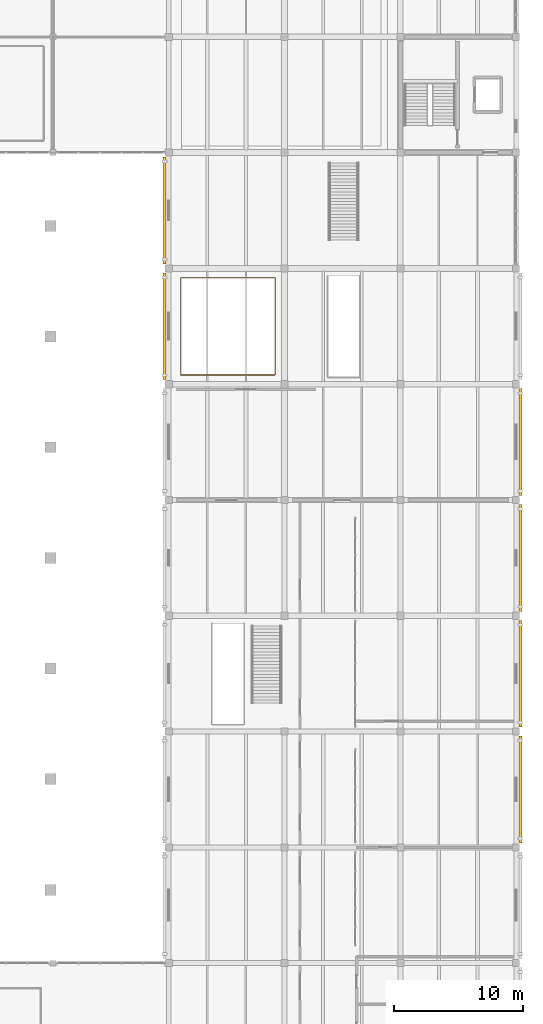
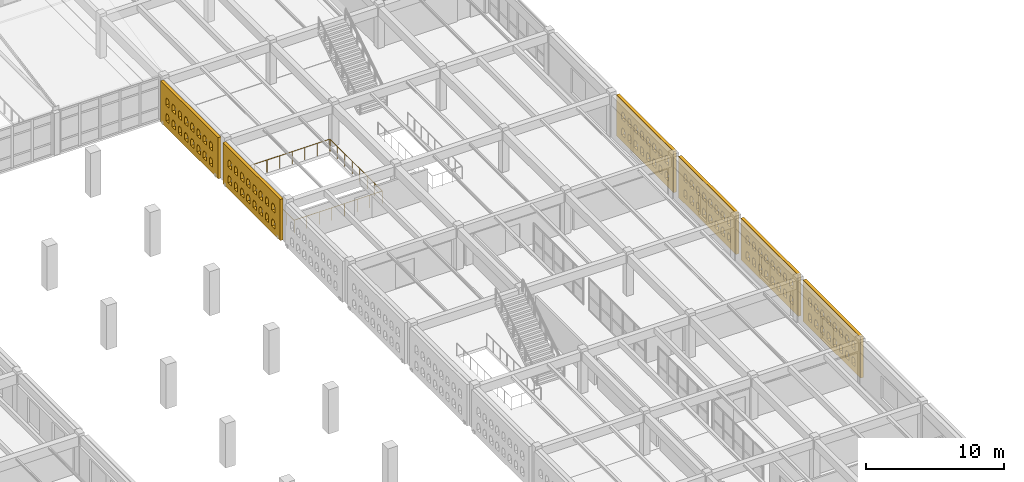
# One storey, part 154 of 156: 6 coverings, 1 railing.
"""IFC4 building model written with IfcOpenShell, lengths in metres."""

from ifc_helpers import new_model, si_unit, direction, frame, origin, origin_2d, place, context, subcontext, project, spatial, polyline, circle, outline, extrude, material, layer, layer_set, type_object, element, save


model = new_model("IFC4")

# Units and contexts
model_context = context("Model", 3, precision=1e-05, world=origin(), true_north=direction((0.0, 1.0)))
body_context = subcontext(model_context, "Body", "Model", "MODEL_VIEW")
ifc_project = project(units=[si_unit("LENGTHUNIT", "METRE"), si_unit("AREAUNIT", "SQUARE_METRE"), si_unit("VOLUMEUNIT", "CUBIC_METRE"), si_unit("PLANEANGLEUNIT", "RADIAN"), si_unit("MASSUNIT", "GRAM", prefix="KILO")], contexts=[model_context])

# Site, building, storey
site_placement = place(None, origin())
site = spatial("IfcSite", under=ifc_project, at=site_placement, CompositionType="ELEMENT")
building_placement = place(site_placement, origin())
building = spatial("IfcBuilding", under=site, at=building_placement, Name="Ornek Quay Market", CompositionType="ELEMENT")
storey_placement = place(building_placement, frame((0.0, 0.0, 4.5)))
storey = spatial("IfcBuildingStorey", under=building, at=storey_placement, Name="L01", CompositionType="ELEMENT", Elevation=4.5)

# Coverings
ifc_material_1 = material(Name="Frost-resistant facing clay brick M200 F100", Category="masonry")
ifc_layer = layer(ifc_material_1, 0.25, Name="Frost-resistant facing clay brick M200 F100", Category="masonry")
ifc_layer_set = layer_set([ifc_layer], Name="Frost-resistant facing clay brick M200 F100")
covering_type = type_object("IfcCoveringType", Name="COV-BRICK-LATTICE-250", PredefinedType="CLADDING", material=ifc_layer_set)
covering_1_placement = place(storey_placement, frame((152.669921875, 74.35009765625, 0.0), z_axis=(0.0, 0.0, 1.0), x_axis=(0.0, 1.0, 0.0)))
element("IfcCovering", 1, at=covering_1_placement, inside=storey, type_object=covering_type, Name="Arched brick lattice screen BLS-075", PredefinedType="CLADDING", context=body_context, shape_type="SweptSolid", body=[
    extrude(outline(polyline([(0.0, 0.0), (8.2998046875, 0.0), (8.2998046875, 3.6298828125), (0.0, 3.6298828125), (0.0, 0.0)]), holes=[polyline([(0.760009765625, 0.550048828125), (1.239990234375, 0.550048828125), (1.239990234375, 1.050048828125), (1.1201171875, 1.2578125), (0.8798828125, 1.2578125), (0.760009765625, 1.050048828125), (0.760009765625, 0.550048828125)]), polyline([(0.760009765625, 1.949951171875), (1.239990234375, 1.949951171875), (1.239990234375, 2.449951171875), (1.1201171875, 2.65771484375), (0.8798828125, 2.65771484375), (0.760009765625, 2.449951171875), (0.760009765625, 1.949951171875)]), polyline([(1.659912109375, 0.550048828125), (2.139892578125, 0.550048828125), (2.139892578125, 1.050048828125), (2.02001953125, 1.2578125), (1.780029296875, 1.2578125), (1.659912109375, 1.050048828125), (1.659912109375, 0.550048828125)]), polyline([(1.659912109375, 1.949951171875), (2.139892578125, 1.949951171875), (2.139892578125, 2.449951171875), (2.02001953125, 2.65771484375), (1.780029296875, 2.65771484375), (1.659912109375, 2.449951171875), (1.659912109375, 1.949951171875)]), polyline([(2.56005859375, 0.550048828125), (3.0400390625, 0.550048828125), (3.0400390625, 1.050048828125), (2.919921875, 1.2578125), (2.679931640625, 1.2578125), (2.56005859375, 1.050048828125), (2.56005859375, 0.550048828125)]), polyline([(2.56005859375, 1.949951171875), (3.0400390625, 1.949951171875), (3.0400390625, 2.449951171875), (2.919921875, 2.65771484375), (2.679931640625, 2.65771484375), (2.56005859375, 2.449951171875), (2.56005859375, 1.949951171875)]), polyline([(3.4599609375, 0.550048828125), (3.93994140625, 0.550048828125), (3.93994140625, 1.050048828125), (3.820068359375, 1.2578125), (3.580078125, 1.2578125), (3.4599609375, 1.050048828125), (3.4599609375, 0.550048828125)]), polyline([(3.4599609375, 1.949951171875), (3.93994140625, 1.949951171875), (3.93994140625, 2.449951171875), (3.820068359375, 2.65771484375), (3.580078125, 2.65771484375), (3.4599609375, 2.449951171875), (3.4599609375, 1.949951171875)]), polyline([(4.360107421875, 0.550048828125), (4.840087890625, 0.550048828125), (4.840087890625, 1.050048828125), (4.719970703125, 1.2578125), (4.47998046875, 1.2578125), (4.360107421875, 1.050048828125), (4.360107421875, 0.550048828125)]), polyline([(4.360107421875, 1.949951171875), (4.840087890625, 1.949951171875), (4.840087890625, 2.449951171875), (4.719970703125, 2.65771484375), (4.47998046875, 2.65771484375), (4.360107421875, 2.449951171875), (4.360107421875, 1.949951171875)]), polyline([(5.260009765625, 0.550048828125), (5.739990234375, 0.550048828125), (5.739990234375, 1.050048828125), (5.6201171875, 1.2578125), (5.3798828125, 1.2578125), (5.260009765625, 1.050048828125), (5.260009765625, 0.550048828125)]), polyline([(5.260009765625, 1.949951171875), (5.739990234375, 1.949951171875), (5.739990234375, 2.449951171875), (5.6201171875, 2.65771484375), (5.3798828125, 2.65771484375), (5.260009765625, 2.449951171875), (5.260009765625, 1.949951171875)]), polyline([(6.159912109375, 0.550048828125), (6.639892578125, 0.550048828125), (6.639892578125, 1.050048828125), (6.52001953125, 1.2578125), (6.280029296875, 1.2578125), (6.159912109375, 1.050048828125), (6.159912109375, 0.550048828125)]), polyline([(6.159912109375, 1.949951171875), (6.639892578125, 1.949951171875), (6.639892578125, 2.449951171875), (6.52001953125, 2.65771484375), (6.280029296875, 2.65771484375), (6.159912109375, 2.449951171875), (6.159912109375, 1.949951171875)]), polyline([(7.06005859375, 0.550048828125), (7.5400390625, 0.550048828125), (7.5400390625, 1.050048828125), (7.419921875, 1.2578125), (7.179931640625, 1.2578125), (7.06005859375, 1.050048828125), (7.06005859375, 0.550048828125)]), polyline([(7.06005859375, 1.949951171875), (7.5400390625, 1.949951171875), (7.5400390625, 2.449951171875), (7.419921875, 2.65771484375), (7.179931640625, 2.65771484375), (7.06005859375, 2.449951171875), (7.06005859375, 1.949951171875)])]), frame((0.0, 0.125, 0.0), z_axis=(0.0, -1.0, 0.0), x_axis=(1.0, 0.0, 0.0)), (0.0, 0.0, 1.0), 0.25),
])
covering_2_placement = place(storey_placement, frame((152.669921875, 83.35009765625, 0.0), z_axis=(0.0, 0.0, 1.0), x_axis=(0.0, 1.0, 0.0)))
element("IfcCovering", 2, at=covering_2_placement, inside=storey, type_object=covering_type, Name="Arched brick lattice screen BLS-076", PredefinedType="CLADDING", context=body_context, shape_type="SweptSolid", body=[
    extrude(outline(polyline([(0.0, 0.0), (8.2998046875, 0.0), (8.2998046875, 3.6298828125), (0.0, 3.6298828125), (0.0, 0.0)]), holes=[polyline([(0.760009765625, 0.550048828125), (1.239990234375, 0.550048828125), (1.239990234375, 1.050048828125), (1.1201171875, 1.2578125), (0.8798828125, 1.2578125), (0.760009765625, 1.050048828125), (0.760009765625, 0.550048828125)]), polyline([(0.760009765625, 1.949951171875), (1.239990234375, 1.949951171875), (1.239990234375, 2.449951171875), (1.1201171875, 2.65771484375), (0.8798828125, 2.65771484375), (0.760009765625, 2.449951171875), (0.760009765625, 1.949951171875)]), polyline([(1.659912109375, 0.550048828125), (2.139892578125, 0.550048828125), (2.139892578125, 1.050048828125), (2.02001953125, 1.2578125), (1.780029296875, 1.2578125), (1.659912109375, 1.050048828125), (1.659912109375, 0.550048828125)]), polyline([(1.659912109375, 1.949951171875), (2.139892578125, 1.949951171875), (2.139892578125, 2.449951171875), (2.02001953125, 2.65771484375), (1.780029296875, 2.65771484375), (1.659912109375, 2.449951171875), (1.659912109375, 1.949951171875)]), polyline([(2.56005859375, 0.550048828125), (3.0400390625, 0.550048828125), (3.0400390625, 1.050048828125), (2.919921875, 1.2578125), (2.679931640625, 1.2578125), (2.56005859375, 1.050048828125), (2.56005859375, 0.550048828125)]), polyline([(2.56005859375, 1.949951171875), (3.0400390625, 1.949951171875), (3.0400390625, 2.449951171875), (2.919921875, 2.65771484375), (2.679931640625, 2.65771484375), (2.56005859375, 2.449951171875), (2.56005859375, 1.949951171875)]), polyline([(3.4599609375, 0.550048828125), (3.93994140625, 0.550048828125), (3.93994140625, 1.050048828125), (3.820068359375, 1.2578125), (3.580078125, 1.2578125), (3.4599609375, 1.050048828125), (3.4599609375, 0.550048828125)]), polyline([(3.4599609375, 1.949951171875), (3.93994140625, 1.949951171875), (3.93994140625, 2.449951171875), (3.820068359375, 2.65771484375), (3.580078125, 2.65771484375), (3.4599609375, 2.449951171875), (3.4599609375, 1.949951171875)]), polyline([(4.360107421875, 0.550048828125), (4.840087890625, 0.550048828125), (4.840087890625, 1.050048828125), (4.719970703125, 1.2578125), (4.47998046875, 1.2578125), (4.360107421875, 1.050048828125), (4.360107421875, 0.550048828125)]), polyline([(4.360107421875, 1.949951171875), (4.840087890625, 1.949951171875), (4.840087890625, 2.449951171875), (4.719970703125, 2.65771484375), (4.47998046875, 2.65771484375), (4.360107421875, 2.449951171875), (4.360107421875, 1.949951171875)]), polyline([(5.260009765625, 0.550048828125), (5.739990234375, 0.550048828125), (5.739990234375, 1.050048828125), (5.6201171875, 1.2578125), (5.3798828125, 1.2578125), (5.260009765625, 1.050048828125), (5.260009765625, 0.550048828125)]), polyline([(5.260009765625, 1.949951171875), (5.739990234375, 1.949951171875), (5.739990234375, 2.449951171875), (5.6201171875, 2.65771484375), (5.3798828125, 2.65771484375), (5.260009765625, 2.449951171875), (5.260009765625, 1.949951171875)]), polyline([(6.159912109375, 0.550048828125), (6.639892578125, 0.550048828125), (6.639892578125, 1.050048828125), (6.52001953125, 1.2578125), (6.280029296875, 1.2578125), (6.159912109375, 1.050048828125), (6.159912109375, 0.550048828125)]), polyline([(6.159912109375, 1.949951171875), (6.639892578125, 1.949951171875), (6.639892578125, 2.449951171875), (6.52001953125, 2.65771484375), (6.280029296875, 2.65771484375), (6.159912109375, 2.449951171875), (6.159912109375, 1.949951171875)]), polyline([(7.06005859375, 0.550048828125), (7.5400390625, 0.550048828125), (7.5400390625, 1.050048828125), (7.419921875, 1.2578125), (7.179931640625, 1.2578125), (7.06005859375, 1.050048828125), (7.06005859375, 0.550048828125)]), polyline([(7.06005859375, 1.949951171875), (7.5400390625, 1.949951171875), (7.5400390625, 2.449951171875), (7.419921875, 2.65771484375), (7.179931640625, 2.65771484375), (7.06005859375, 2.449951171875), (7.06005859375, 1.949951171875)])]), frame((0.0, 0.125, 0.0), z_axis=(0.0, -1.0, 0.0), x_axis=(1.0, 0.0, 0.0)), (0.0, 0.0, 1.0), 0.25),
])
covering_3_placement = place(storey_placement, frame((180.330078125, 65.35009765625, 0.0), z_axis=(0.0, 0.0, 1.0), x_axis=(0.0, 1.0, 0.0)))
element("IfcCovering", 3, at=covering_3_placement, inside=storey, type_object=covering_type, Name="Arched brick lattice screen BLS-077", PredefinedType="CLADDING", context=body_context, shape_type="SweptSolid", body=[
    extrude(outline(polyline([(0.0, 0.0), (8.2998046875, 0.0), (8.2998046875, 3.6298828125), (0.0, 3.6298828125), (0.0, 0.0)]), holes=[polyline([(0.760009765625, 0.550048828125), (1.239990234375, 0.550048828125), (1.239990234375, 1.050048828125), (1.1201171875, 1.2578125), (0.8798828125, 1.2578125), (0.760009765625, 1.050048828125), (0.760009765625, 0.550048828125)]), polyline([(0.760009765625, 1.949951171875), (1.239990234375, 1.949951171875), (1.239990234375, 2.449951171875), (1.1201171875, 2.65771484375), (0.8798828125, 2.65771484375), (0.760009765625, 2.449951171875), (0.760009765625, 1.949951171875)]), polyline([(1.659912109375, 0.550048828125), (2.139892578125, 0.550048828125), (2.139892578125, 1.050048828125), (2.02001953125, 1.2578125), (1.780029296875, 1.2578125), (1.659912109375, 1.050048828125), (1.659912109375, 0.550048828125)]), polyline([(1.659912109375, 1.949951171875), (2.139892578125, 1.949951171875), (2.139892578125, 2.449951171875), (2.02001953125, 2.65771484375), (1.780029296875, 2.65771484375), (1.659912109375, 2.449951171875), (1.659912109375, 1.949951171875)]), polyline([(2.56005859375, 0.550048828125), (3.0400390625, 0.550048828125), (3.0400390625, 1.050048828125), (2.919921875, 1.2578125), (2.679931640625, 1.2578125), (2.56005859375, 1.050048828125), (2.56005859375, 0.550048828125)]), polyline([(2.56005859375, 1.949951171875), (3.0400390625, 1.949951171875), (3.0400390625, 2.449951171875), (2.919921875, 2.65771484375), (2.679931640625, 2.65771484375), (2.56005859375, 2.449951171875), (2.56005859375, 1.949951171875)]), polyline([(3.4599609375, 0.550048828125), (3.93994140625, 0.550048828125), (3.93994140625, 1.050048828125), (3.820068359375, 1.2578125), (3.580078125, 1.2578125), (3.4599609375, 1.050048828125), (3.4599609375, 0.550048828125)]), polyline([(3.4599609375, 1.949951171875), (3.93994140625, 1.949951171875), (3.93994140625, 2.449951171875), (3.820068359375, 2.65771484375), (3.580078125, 2.65771484375), (3.4599609375, 2.449951171875), (3.4599609375, 1.949951171875)]), polyline([(4.360107421875, 0.550048828125), (4.840087890625, 0.550048828125), (4.840087890625, 1.050048828125), (4.719970703125, 1.2578125), (4.47998046875, 1.2578125), (4.360107421875, 1.050048828125), (4.360107421875, 0.550048828125)]), polyline([(4.360107421875, 1.949951171875), (4.840087890625, 1.949951171875), (4.840087890625, 2.449951171875), (4.719970703125, 2.65771484375), (4.47998046875, 2.65771484375), (4.360107421875, 2.449951171875), (4.360107421875, 1.949951171875)]), polyline([(5.260009765625, 0.550048828125), (5.739990234375, 0.550048828125), (5.739990234375, 1.050048828125), (5.6201171875, 1.2578125), (5.3798828125, 1.2578125), (5.260009765625, 1.050048828125), (5.260009765625, 0.550048828125)]), polyline([(5.260009765625, 1.949951171875), (5.739990234375, 1.949951171875), (5.739990234375, 2.449951171875), (5.6201171875, 2.65771484375), (5.3798828125, 2.65771484375), (5.260009765625, 2.449951171875), (5.260009765625, 1.949951171875)]), polyline([(6.159912109375, 0.550048828125), (6.639892578125, 0.550048828125), (6.639892578125, 1.050048828125), (6.52001953125, 1.2578125), (6.280029296875, 1.2578125), (6.159912109375, 1.050048828125), (6.159912109375, 0.550048828125)]), polyline([(6.159912109375, 1.949951171875), (6.639892578125, 1.949951171875), (6.639892578125, 2.449951171875), (6.52001953125, 2.65771484375), (6.280029296875, 2.65771484375), (6.159912109375, 2.449951171875), (6.159912109375, 1.949951171875)]), polyline([(7.06005859375, 0.550048828125), (7.5400390625, 0.550048828125), (7.5400390625, 1.050048828125), (7.419921875, 1.2578125), (7.179931640625, 1.2578125), (7.06005859375, 1.050048828125), (7.06005859375, 0.550048828125)]), polyline([(7.06005859375, 1.949951171875), (7.5400390625, 1.949951171875), (7.5400390625, 2.449951171875), (7.419921875, 2.65771484375), (7.179931640625, 2.65771484375), (7.06005859375, 2.449951171875), (7.06005859375, 1.949951171875)])]), frame((0.0, 0.125, 0.0), z_axis=(0.0, -1.0, 0.0), x_axis=(1.0, 0.0, 0.0)), (0.0, 0.0, 1.0), 0.25),
])
covering_4_placement = place(storey_placement, frame((180.330078125, 38.35009765625, 0.0), z_axis=(0.0, 0.0, 1.0), x_axis=(0.0, 1.0, 0.0)))
element("IfcCovering", 4, at=covering_4_placement, inside=storey, type_object=covering_type, Name="Arched brick lattice screen BLS-103", PredefinedType="CLADDING", context=body_context, shape_type="SweptSolid", body=[
    extrude(outline(polyline([(0.0, 0.0), (8.2998046875, 0.0), (8.2998046875, 3.64990234375), (0.0, 3.64990234375), (0.0, 0.0)]), holes=[polyline([(0.760009765625, 0.550048828125), (1.239990234375, 0.550048828125), (1.239990234375, 1.050048828125), (1.1201171875, 1.2578125), (0.8798828125, 1.2578125), (0.760009765625, 1.050048828125), (0.760009765625, 0.550048828125)]), polyline([(0.760009765625, 1.949951171875), (1.239990234375, 1.949951171875), (1.239990234375, 2.449951171875), (1.1201171875, 2.65771484375), (0.8798828125, 2.65771484375), (0.760009765625, 2.449951171875), (0.760009765625, 1.949951171875)]), polyline([(1.659912109375, 0.550048828125), (2.139892578125, 0.550048828125), (2.139892578125, 1.050048828125), (2.02001953125, 1.2578125), (1.780029296875, 1.2578125), (1.659912109375, 1.050048828125), (1.659912109375, 0.550048828125)]), polyline([(1.659912109375, 1.949951171875), (2.139892578125, 1.949951171875), (2.139892578125, 2.449951171875), (2.02001953125, 2.65771484375), (1.780029296875, 2.65771484375), (1.659912109375, 2.449951171875), (1.659912109375, 1.949951171875)]), polyline([(2.56005859375, 0.550048828125), (3.0400390625, 0.550048828125), (3.0400390625, 1.050048828125), (2.919921875, 1.2578125), (2.679931640625, 1.2578125), (2.56005859375, 1.050048828125), (2.56005859375, 0.550048828125)]), polyline([(2.56005859375, 1.949951171875), (3.0400390625, 1.949951171875), (3.0400390625, 2.449951171875), (2.919921875, 2.65771484375), (2.679931640625, 2.65771484375), (2.56005859375, 2.449951171875), (2.56005859375, 1.949951171875)]), polyline([(3.4599609375, 0.550048828125), (3.93994140625, 0.550048828125), (3.93994140625, 1.050048828125), (3.820068359375, 1.2578125), (3.580078125, 1.2578125), (3.4599609375, 1.050048828125), (3.4599609375, 0.550048828125)]), polyline([(3.4599609375, 1.949951171875), (3.93994140625, 1.949951171875), (3.93994140625, 2.449951171875), (3.820068359375, 2.65771484375), (3.580078125, 2.65771484375), (3.4599609375, 2.449951171875), (3.4599609375, 1.949951171875)]), polyline([(4.360107421875, 0.550048828125), (4.840087890625, 0.550048828125), (4.840087890625, 1.050048828125), (4.719970703125, 1.2578125), (4.47998046875, 1.2578125), (4.360107421875, 1.050048828125), (4.360107421875, 0.550048828125)]), polyline([(4.360107421875, 1.949951171875), (4.840087890625, 1.949951171875), (4.840087890625, 2.449951171875), (4.719970703125, 2.65771484375), (4.47998046875, 2.65771484375), (4.360107421875, 2.449951171875), (4.360107421875, 1.949951171875)]), polyline([(5.260009765625, 0.550048828125), (5.739990234375, 0.550048828125), (5.739990234375, 1.050048828125), (5.6201171875, 1.2578125), (5.3798828125, 1.2578125), (5.260009765625, 1.050048828125), (5.260009765625, 0.550048828125)]), polyline([(5.260009765625, 1.949951171875), (5.739990234375, 1.949951171875), (5.739990234375, 2.449951171875), (5.6201171875, 2.65771484375), (5.3798828125, 2.65771484375), (5.260009765625, 2.449951171875), (5.260009765625, 1.949951171875)]), polyline([(6.159912109375, 0.550048828125), (6.639892578125, 0.550048828125), (6.639892578125, 1.050048828125), (6.52001953125, 1.2578125), (6.280029296875, 1.2578125), (6.159912109375, 1.050048828125), (6.159912109375, 0.550048828125)]), polyline([(6.159912109375, 1.949951171875), (6.639892578125, 1.949951171875), (6.639892578125, 2.449951171875), (6.52001953125, 2.65771484375), (6.280029296875, 2.65771484375), (6.159912109375, 2.449951171875), (6.159912109375, 1.949951171875)]), polyline([(7.06005859375, 0.550048828125), (7.5400390625, 0.550048828125), (7.5400390625, 1.050048828125), (7.419921875, 1.2578125), (7.179931640625, 1.2578125), (7.06005859375, 1.050048828125), (7.06005859375, 0.550048828125)]), polyline([(7.06005859375, 1.949951171875), (7.5400390625, 1.949951171875), (7.5400390625, 2.449951171875), (7.419921875, 2.65771484375), (7.179931640625, 2.65771484375), (7.06005859375, 2.449951171875), (7.06005859375, 1.949951171875)])]), frame((0.0, 0.125, 0.0), z_axis=(0.0, -1.0, 0.0), x_axis=(1.0, 0.0, 0.0)), (0.0, 0.0, 1.0), 0.25),
])
covering_5_placement = place(storey_placement, frame((180.330078125, 47.35009765625, 0.0), z_axis=(0.0, 0.0, 1.0), x_axis=(0.0, 1.0, 0.0)))
element("IfcCovering", 5, at=covering_5_placement, inside=storey, type_object=covering_type, Name="Arched brick lattice screen BLS-104", PredefinedType="CLADDING", context=body_context, shape_type="SweptSolid", body=[
    extrude(outline(polyline([(0.0, 0.0), (8.2998046875, 0.0), (8.2998046875, 3.64990234375), (0.0, 3.64990234375), (0.0, 0.0)]), holes=[polyline([(0.760009765625, 0.550048828125), (1.239990234375, 0.550048828125), (1.239990234375, 1.050048828125), (1.1201171875, 1.2578125), (0.8798828125, 1.2578125), (0.760009765625, 1.050048828125), (0.760009765625, 0.550048828125)]), polyline([(0.760009765625, 1.949951171875), (1.239990234375, 1.949951171875), (1.239990234375, 2.449951171875), (1.1201171875, 2.65771484375), (0.8798828125, 2.65771484375), (0.760009765625, 2.449951171875), (0.760009765625, 1.949951171875)]), polyline([(1.659912109375, 0.550048828125), (2.139892578125, 0.550048828125), (2.139892578125, 1.050048828125), (2.02001953125, 1.2578125), (1.780029296875, 1.2578125), (1.659912109375, 1.050048828125), (1.659912109375, 0.550048828125)]), polyline([(1.659912109375, 1.949951171875), (2.139892578125, 1.949951171875), (2.139892578125, 2.449951171875), (2.02001953125, 2.65771484375), (1.780029296875, 2.65771484375), (1.659912109375, 2.449951171875), (1.659912109375, 1.949951171875)]), polyline([(2.56005859375, 0.550048828125), (3.0400390625, 0.550048828125), (3.0400390625, 1.050048828125), (2.919921875, 1.2578125), (2.679931640625, 1.2578125), (2.56005859375, 1.050048828125), (2.56005859375, 0.550048828125)]), polyline([(2.56005859375, 1.949951171875), (3.0400390625, 1.949951171875), (3.0400390625, 2.449951171875), (2.919921875, 2.65771484375), (2.679931640625, 2.65771484375), (2.56005859375, 2.449951171875), (2.56005859375, 1.949951171875)]), polyline([(3.4599609375, 0.550048828125), (3.93994140625, 0.550048828125), (3.93994140625, 1.050048828125), (3.820068359375, 1.2578125), (3.580078125, 1.2578125), (3.4599609375, 1.050048828125), (3.4599609375, 0.550048828125)]), polyline([(3.4599609375, 1.949951171875), (3.93994140625, 1.949951171875), (3.93994140625, 2.449951171875), (3.820068359375, 2.65771484375), (3.580078125, 2.65771484375), (3.4599609375, 2.449951171875), (3.4599609375, 1.949951171875)]), polyline([(4.360107421875, 0.550048828125), (4.840087890625, 0.550048828125), (4.840087890625, 1.050048828125), (4.719970703125, 1.2578125), (4.47998046875, 1.2578125), (4.360107421875, 1.050048828125), (4.360107421875, 0.550048828125)]), polyline([(4.360107421875, 1.949951171875), (4.840087890625, 1.949951171875), (4.840087890625, 2.449951171875), (4.719970703125, 2.65771484375), (4.47998046875, 2.65771484375), (4.360107421875, 2.449951171875), (4.360107421875, 1.949951171875)]), polyline([(5.260009765625, 0.550048828125), (5.739990234375, 0.550048828125), (5.739990234375, 1.050048828125), (5.6201171875, 1.2578125), (5.3798828125, 1.2578125), (5.260009765625, 1.050048828125), (5.260009765625, 0.550048828125)]), polyline([(5.260009765625, 1.949951171875), (5.739990234375, 1.949951171875), (5.739990234375, 2.449951171875), (5.6201171875, 2.65771484375), (5.3798828125, 2.65771484375), (5.260009765625, 2.449951171875), (5.260009765625, 1.949951171875)]), polyline([(6.159912109375, 0.550048828125), (6.639892578125, 0.550048828125), (6.639892578125, 1.050048828125), (6.52001953125, 1.2578125), (6.280029296875, 1.2578125), (6.159912109375, 1.050048828125), (6.159912109375, 0.550048828125)]), polyline([(6.159912109375, 1.949951171875), (6.639892578125, 1.949951171875), (6.639892578125, 2.449951171875), (6.52001953125, 2.65771484375), (6.280029296875, 2.65771484375), (6.159912109375, 2.449951171875), (6.159912109375, 1.949951171875)]), polyline([(7.06005859375, 0.550048828125), (7.5400390625, 0.550048828125), (7.5400390625, 1.050048828125), (7.419921875, 1.2578125), (7.179931640625, 1.2578125), (7.06005859375, 1.050048828125), (7.06005859375, 0.550048828125)]), polyline([(7.06005859375, 1.949951171875), (7.5400390625, 1.949951171875), (7.5400390625, 2.449951171875), (7.419921875, 2.65771484375), (7.179931640625, 2.65771484375), (7.06005859375, 2.449951171875), (7.06005859375, 1.949951171875)])]), frame((0.0, 0.125, 0.0), z_axis=(0.0, -1.0, 0.0), x_axis=(1.0, 0.0, 0.0)), (0.0, 0.0, 1.0), 0.25),
])
covering_6_placement = place(storey_placement, frame((180.330078125, 56.35009765625, 0.0), z_axis=(0.0, 0.0, 1.0), x_axis=(0.0, 1.0, 0.0)))
element("IfcCovering", 6, at=covering_6_placement, inside=storey, type_object=covering_type, Name="Arched brick lattice screen BLS-105", PredefinedType="CLADDING", context=body_context, shape_type="SweptSolid", body=[
    extrude(outline(polyline([(0.0, 0.0), (8.2998046875, 0.0), (8.2998046875, 3.64990234375), (0.0, 3.64990234375), (0.0, 0.0)]), holes=[polyline([(0.760009765625, 0.550048828125), (1.239990234375, 0.550048828125), (1.239990234375, 1.050048828125), (1.1201171875, 1.2578125), (0.8798828125, 1.2578125), (0.760009765625, 1.050048828125), (0.760009765625, 0.550048828125)]), polyline([(0.760009765625, 1.949951171875), (1.239990234375, 1.949951171875), (1.239990234375, 2.449951171875), (1.1201171875, 2.65771484375), (0.8798828125, 2.65771484375), (0.760009765625, 2.449951171875), (0.760009765625, 1.949951171875)]), polyline([(1.659912109375, 0.550048828125), (2.139892578125, 0.550048828125), (2.139892578125, 1.050048828125), (2.02001953125, 1.2578125), (1.780029296875, 1.2578125), (1.659912109375, 1.050048828125), (1.659912109375, 0.550048828125)]), polyline([(1.659912109375, 1.949951171875), (2.139892578125, 1.949951171875), (2.139892578125, 2.449951171875), (2.02001953125, 2.65771484375), (1.780029296875, 2.65771484375), (1.659912109375, 2.449951171875), (1.659912109375, 1.949951171875)]), polyline([(2.56005859375, 0.550048828125), (3.0400390625, 0.550048828125), (3.0400390625, 1.050048828125), (2.919921875, 1.2578125), (2.679931640625, 1.2578125), (2.56005859375, 1.050048828125), (2.56005859375, 0.550048828125)]), polyline([(2.56005859375, 1.949951171875), (3.0400390625, 1.949951171875), (3.0400390625, 2.449951171875), (2.919921875, 2.65771484375), (2.679931640625, 2.65771484375), (2.56005859375, 2.449951171875), (2.56005859375, 1.949951171875)]), polyline([(3.4599609375, 0.550048828125), (3.93994140625, 0.550048828125), (3.93994140625, 1.050048828125), (3.820068359375, 1.2578125), (3.580078125, 1.2578125), (3.4599609375, 1.050048828125), (3.4599609375, 0.550048828125)]), polyline([(3.4599609375, 1.949951171875), (3.93994140625, 1.949951171875), (3.93994140625, 2.449951171875), (3.820068359375, 2.65771484375), (3.580078125, 2.65771484375), (3.4599609375, 2.449951171875), (3.4599609375, 1.949951171875)]), polyline([(4.360107421875, 0.550048828125), (4.840087890625, 0.550048828125), (4.840087890625, 1.050048828125), (4.719970703125, 1.2578125), (4.47998046875, 1.2578125), (4.360107421875, 1.050048828125), (4.360107421875, 0.550048828125)]), polyline([(4.360107421875, 1.949951171875), (4.840087890625, 1.949951171875), (4.840087890625, 2.449951171875), (4.719970703125, 2.65771484375), (4.47998046875, 2.65771484375), (4.360107421875, 2.449951171875), (4.360107421875, 1.949951171875)]), polyline([(5.260009765625, 0.550048828125), (5.739990234375, 0.550048828125), (5.739990234375, 1.050048828125), (5.6201171875, 1.2578125), (5.3798828125, 1.2578125), (5.260009765625, 1.050048828125), (5.260009765625, 0.550048828125)]), polyline([(5.260009765625, 1.949951171875), (5.739990234375, 1.949951171875), (5.739990234375, 2.449951171875), (5.6201171875, 2.65771484375), (5.3798828125, 2.65771484375), (5.260009765625, 2.449951171875), (5.260009765625, 1.949951171875)]), polyline([(6.159912109375, 0.550048828125), (6.639892578125, 0.550048828125), (6.639892578125, 1.050048828125), (6.52001953125, 1.2578125), (6.280029296875, 1.2578125), (6.159912109375, 1.050048828125), (6.159912109375, 0.550048828125)]), polyline([(6.159912109375, 1.949951171875), (6.639892578125, 1.949951171875), (6.639892578125, 2.449951171875), (6.52001953125, 2.65771484375), (6.280029296875, 2.65771484375), (6.159912109375, 2.449951171875), (6.159912109375, 1.949951171875)]), polyline([(7.06005859375, 0.550048828125), (7.5400390625, 0.550048828125), (7.5400390625, 1.050048828125), (7.419921875, 1.2578125), (7.179931640625, 1.2578125), (7.06005859375, 1.050048828125), (7.06005859375, 0.550048828125)]), polyline([(7.06005859375, 1.949951171875), (7.5400390625, 1.949951171875), (7.5400390625, 2.449951171875), (7.419921875, 2.65771484375), (7.179931640625, 2.65771484375), (7.06005859375, 2.449951171875), (7.06005859375, 1.949951171875)])]), frame((0.0, 0.125, 0.0), z_axis=(0.0, -1.0, 0.0), x_axis=(1.0, 0.0, 0.0)), (0.0, 0.0, 1.0), 0.25),
])

# Railing
ifc_material_2 = material(Name="Painted steel S355 and vertical infill bars", Category="steel")
railing_type = type_object("IfcRailingType", Name="RL-GUARD-GAL-1100", PredefinedType="GUARDRAIL", material=ifc_material_2)
railing_placement = place(storey_placement, frame((153.919921875, 74.719970703125, 0.0)))
element("IfcRailing", 7, at=railing_placement, inside=storey, type_object=railing_type, Name="Railing GR-01-136", PredefinedType="GUARDRAIL", context=body_context, shape_type="SweptSolid", body=[
    extrude(circle(Radius=0.02392578125, at=origin_2d()), frame((0.0, 0.0, 1.09619140625), z_axis=(1.0, 0.0, 0.0), x_axis=(0.0, 1.0, 0.0)), (0.0, 0.0, 1.0), 7.330078125),
    extrude(circle(Radius=0.02392578125, at=origin_2d()), frame((7.360107421875, 0.030029296875, 1.09619140625), z_axis=(0.0, 1.0, 0.0), x_axis=(-1.0, 0.0, 0.0)), (0.0, 0.0, 1.0), 7.5),
    extrude(circle(Radius=0.02392578125, at=origin_2d()), frame((7.330078125, 7.56005859375, 1.09619140625), z_axis=(-1.0, 0.0, 0.0), x_axis=(0.0, -1.0, 0.0)), (0.0, 0.0, 1.0), 7.300048828125),
    extrude(circle(Radius=0.02392578125, at=origin_2d()), frame((0.0, 7.530029296875, 1.09619140625), z_axis=(0.0, -1.0, 0.0), x_axis=(1.0, 0.0, 0.0)), (0.0, 0.0, 1.0), 7.530029296875),
    extrude(circle(Radius=0.02099609375, at=origin_2d()), origin(), (0.0, 0.0, 1.0), 1.068115234375),
    extrude(circle(Radius=0.02099609375, at=origin_2d()), frame((1.051513671875, 0.0, 0.0)), (0.0, 0.0, 1.0), 1.068115234375),
    extrude(circle(Radius=0.02099609375, at=origin_2d()), frame((2.102783203125, 0.0, 0.0)), (0.0, 0.0, 1.0), 1.068115234375),
    extrude(circle(Radius=0.02099609375, at=origin_2d()), frame((3.154296875, 0.0, 0.0)), (0.0, 0.0, 1.0), 1.068115234375),
    extrude(circle(Radius=0.02099609375, at=origin_2d()), frame((4.205810546875, 0.0, 0.0)), (0.0, 0.0, 1.0), 1.068115234375),
    extrude(circle(Radius=0.02099609375, at=origin_2d()), frame((5.25732421875, 0.0, 0.0)), (0.0, 0.0, 1.0), 1.068115234375),
    extrude(circle(Radius=0.02099609375, at=origin_2d()), frame((6.30859375, 0.0, 0.0)), (0.0, 0.0, 1.0), 1.068115234375),
    extrude(circle(Radius=0.02099609375, at=origin_2d()), frame((7.360107421875, 0.0, 0.0)), (0.0, 0.0, 1.0), 1.068115234375),
    extrude(circle(Radius=0.02099609375, at=origin_2d()), frame((7.360107421875, 1.080078125, 0.0)), (0.0, 0.0, 1.0), 1.068115234375),
    extrude(circle(Radius=0.02099609375, at=origin_2d()), frame((7.360107421875, 2.159912109375, 0.0)), (0.0, 0.0, 1.0), 1.068115234375),
    extrude(circle(Radius=0.02099609375, at=origin_2d()), frame((7.360107421875, 3.239990234375, 0.0)), (0.0, 0.0, 1.0), 1.068115234375),
    extrude(circle(Radius=0.02099609375, at=origin_2d()), frame((7.360107421875, 4.320068359375, 0.0)), (0.0, 0.0, 1.0), 1.068115234375),
    extrude(circle(Radius=0.02099609375, at=origin_2d()), frame((7.360107421875, 5.400146484375, 0.0)), (0.0, 0.0, 1.0), 1.068115234375),
    extrude(circle(Radius=0.02099609375, at=origin_2d()), frame((7.360107421875, 6.47998046875, 0.0)), (0.0, 0.0, 1.0), 1.068115234375),
    extrude(circle(Radius=0.02099609375, at=origin_2d()), frame((7.360107421875, 7.56005859375, 0.0)), (0.0, 0.0, 1.0), 1.068115234375),
    extrude(circle(Radius=0.02099609375, at=origin_2d()), frame((6.30859375, 7.56005859375, 0.0)), (0.0, 0.0, 1.0), 1.068115234375),
    extrude(circle(Radius=0.02099609375, at=origin_2d()), frame((5.25732421875, 7.56005859375, 0.0)), (0.0, 0.0, 1.0), 1.068115234375),
    extrude(circle(Radius=0.02099609375, at=origin_2d()), frame((4.205810546875, 7.56005859375, 0.0)), (0.0, 0.0, 1.0), 1.068115234375),
    extrude(circle(Radius=0.02099609375, at=origin_2d()), frame((3.154296875, 7.56005859375, 0.0)), (0.0, 0.0, 1.0), 1.068115234375),
    extrude(circle(Radius=0.02099609375, at=origin_2d()), frame((2.102783203125, 7.56005859375, 0.0)), (0.0, 0.0, 1.0), 1.068115234375),
    extrude(circle(Radius=0.02099609375, at=origin_2d()), frame((1.051513671875, 7.56005859375, 0.0)), (0.0, 0.0, 1.0), 1.068115234375),
    extrude(circle(Radius=0.02099609375, at=origin_2d()), frame((0.0, 7.56005859375, 0.0)), (0.0, 0.0, 1.0), 1.068115234375),
    extrude(circle(Radius=0.02099609375, at=origin_2d()), frame((0.0, 6.47998046875, 0.0)), (0.0, 0.0, 1.0), 1.068115234375),
    extrude(circle(Radius=0.02099609375, at=origin_2d()), frame((0.0, 5.400146484375, 0.0)), (0.0, 0.0, 1.0), 1.068115234375),
    extrude(circle(Radius=0.02099609375, at=origin_2d()), frame((0.0, 4.320068359375, 0.0)), (0.0, 0.0, 1.0), 1.068115234375),
    extrude(circle(Radius=0.02099609375, at=origin_2d()), frame((0.0, 3.239990234375, 0.0)), (0.0, 0.0, 1.0), 1.068115234375),
    extrude(circle(Radius=0.02099609375, at=origin_2d()), frame((0.0, 2.159912109375, 0.0)), (0.0, 0.0, 1.0), 1.068115234375),
    extrude(circle(Radius=0.02099609375, at=origin_2d()), frame((0.0, 1.080078125, 0.0)), (0.0, 0.0, 1.0), 1.068115234375),
])

save(model, "model.ifc")
